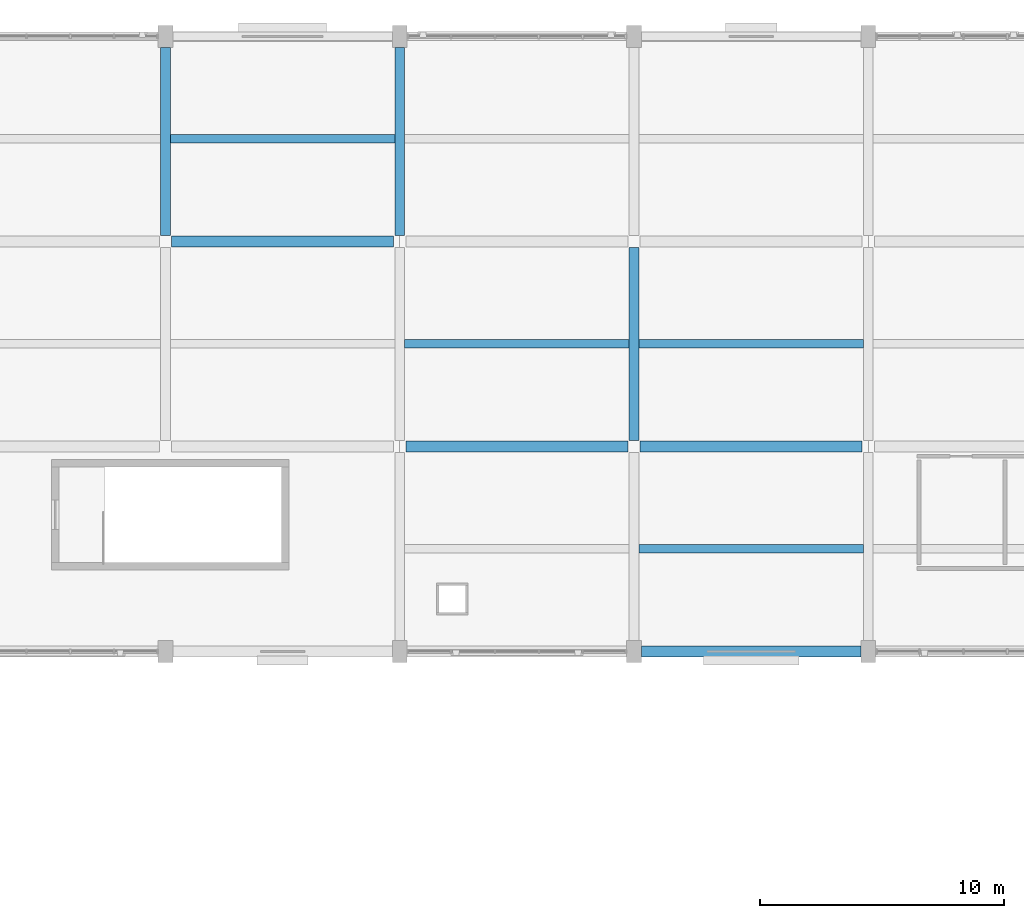
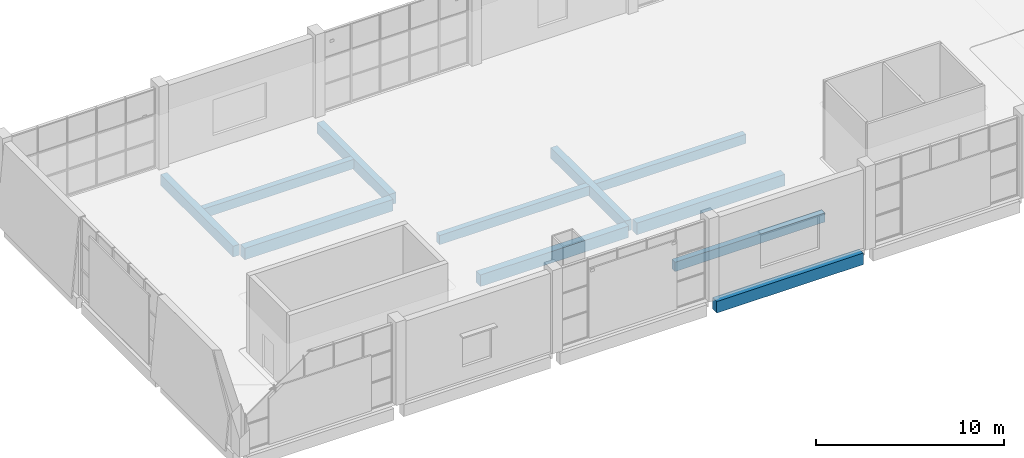
# One storey, part 18 of 57: 11 beams.
"""IFC4 building model written with IfcOpenShell, lengths in metres."""

from ifc_helpers import new_model, si_unit, direction, frame, origin, origin_2d, place, context, subcontext, project, spatial, rectangle, extrude, material, material_profile, profile_set, type_object, element, save


model = new_model("IFC4")

# Units and contexts
model_context = context("Model", 3, precision=1e-05, world=origin(), true_north=direction((0.0, 1.0)))
body_context = subcontext(model_context, "Body", "Model", "MODEL_VIEW")
ifc_project = project(units=[si_unit("LENGTHUNIT", "METRE"), si_unit("AREAUNIT", "SQUARE_METRE"), si_unit("VOLUMEUNIT", "CUBIC_METRE"), si_unit("PLANEANGLEUNIT", "RADIAN"), si_unit("MASSUNIT", "GRAM", prefix="KILO")], contexts=[model_context])

# Site, building, storey
site_placement = place(None, origin())
site = spatial("IfcSite", under=ifc_project, at=site_placement, CompositionType="ELEMENT")
building_placement = place(site_placement, origin())
building = spatial("IfcBuilding", under=site, at=building_placement, Name="Shalvenor Court Art Gallery", CompositionType="ELEMENT")
storey_placement = place(building_placement, frame((0.0, 0.0, 16.800048828125)))
storey = spatial("IfcBuildingStorey", under=building, at=storey_placement, Name="L03", CompositionType="ELEMENT", Elevation=16.800048828125)

# Beams
ifc_material_1 = material(Name="Concrete C40/50", Category="concrete")
ifc_material_profile_1 = material_profile(ifc_material_1, rectangle(XDim=0.449951171875, YDim=0.75, at=origin_2d()), Name="RC 450x750")
ifc_profile_set_1 = profile_set([ifc_material_profile_1], Name="Concrete C40/50")
beam_type_1 = type_object("IfcBeamType", Name="B-04", PredefinedType="BEAM", material=ifc_profile_set_1)
beam_1_placement = place(storey_placement, frame((86.699951171875, 97.199951171875, -0.675048828125), z_axis=(1.0, 0.0, 0.0), x_axis=(0.0, 1.0, 0.0)))
element("IfcBeam", 1, at=beam_1_placement, inside=storey, type_object=beam_type_1, Name="L03 Girder BM-L03-B-04-1096", PredefinedType="BEAM", context=body_context, shape_type="SweptSolid", body=[
    extrude(rectangle(XDim=0.449951171875, YDim=0.75, at=origin_2d()), origin(), (0.0, 0.0, 1.0), 9.0),
])
beam_2_placement = place(storey_placement, frame((77.050048828125, 105.60009765625, -0.675048828125), z_axis=(1.0, 0.0, 0.0), x_axis=(0.0, 1.0, 0.0)))
element("IfcBeam", 2, at=beam_2_placement, inside=storey, type_object=beam_type_1, Name="L03 Girder BM-L03-B-04-1109", PredefinedType="BEAM", context=body_context, shape_type="SweptSolid", body=[
    extrude(rectangle(XDim=0.449951171875, YDim=0.75, at=origin_2d()), origin(), (0.0, 0.0, 1.0), 9.099853515625),
])
for number, where, z_axis, x_axis, name in (
    (3, (86.64990234375, 105.60009765625, -0.675048828125), (1.0, 0.0, 0.0), (0.0, 1.0, 0.0), "L03 Girder BM-L03-B-04-1110"),
    (4, (67.449951171875, 114.0, -0.675048828125), (1.0, 0.0, 0.0), (0.0, 1.0, 0.0), "L03 Girder BM-L03-B-04-1114"),
):
    element("IfcBeam", number, at=place(storey_placement, frame(where, z_axis=z_axis, x_axis=x_axis)), inside=storey, type_object=beam_type_1, Name=name, PredefinedType="BEAM", context=body_context, shape_type="SweptSolid", body=[
        extrude(rectangle(XDim=0.449951171875, YDim=0.75, at=origin_2d()), origin(), (0.0, 0.0, 1.0), 9.10009765625),
    ])
ifc_material_2 = material(Name="Concrete C40/50", Category="concrete")
ifc_material_profile_2 = material_profile(ifc_material_2, rectangle(XDim=0.39990234375, YDim=0.699951171875, at=origin_2d()), Name="RC 400x700")
ifc_profile_set_2 = profile_set([ifc_material_profile_2], Name="Concrete C40/50")
beam_type_2 = type_object("IfcBeamType", Name="B-05", PredefinedType="BEAM", material=ifc_profile_set_2)
for number, where, z_axis, x_axis, name in (
    (5, (67.199951171875, 114.25, -0.650146484375), (0.0, 1.0, 0.0), (-1.0, 0.0, 0.0), "L03 Girder BM-L03-B-05-0982"),
    (6, (76.800048828125, 114.25, -0.650146484375), (0.0, 1.0, 0.0), (-1.0, 0.0, 0.0), "L03 Girder BM-L03-B-05-0985"),
):
    element("IfcBeam", number, at=place(storey_placement, frame(where, z_axis=z_axis, x_axis=x_axis)), inside=storey, type_object=beam_type_2, Name=name, PredefinedType="BEAM", context=body_context, shape_type="SweptSolid", body=[
        extrude(rectangle(XDim=0.39990234375, YDim=0.699951171875, at=origin_2d()), origin(), (0.0, 0.0, 1.0), 7.699951171875),
    ])
beam_3_placement = place(storey_placement, frame((86.39990234375, 105.85009765625, -0.650146484375), z_axis=(0.0, 1.0, 0.0), x_axis=(-1.0, 0.0, 0.0)))
element("IfcBeam", 7, at=beam_3_placement, inside=storey, type_object=beam_type_2, Name="L03 Girder BM-L03-B-05-0987", PredefinedType="BEAM", context=body_context, shape_type="SweptSolid", body=[
    extrude(rectangle(XDim=0.39990234375, YDim=0.699951171875, at=origin_2d()), origin(), (0.0, 0.0, 1.0), 7.89990234375),
])
ifc_material_3 = material(Name="Concrete C40/50", Category="concrete")
ifc_material_profile_3 = material_profile(ifc_material_3, rectangle(XDim=0.35009765625, YDim=0.60009765625, at=origin_2d()), Name="RC 350x600")
ifc_profile_set_3 = profile_set([ifc_material_profile_3], Name="Concrete C40/50")
beam_type_3 = type_object("IfcBeamType", Name="J-01", PredefinedType="JOIST", material=ifc_profile_set_3)
beam_4_placement = place(storey_placement, frame((67.39990234375, 118.199951171875, -0.60009765625), z_axis=(1.0, 0.0, 0.0), x_axis=(0.0, 1.0, 0.0)))
element("IfcBeam", 8, at=beam_4_placement, inside=storey, type_object=beam_type_3, Name="L03 Secondary Beam JST-L03-J-01-1135", PredefinedType="JOIST", context=body_context, shape_type="SweptSolid", body=[
    extrude(rectangle(XDim=0.35009765625, YDim=0.60009765625, at=origin_2d()), origin(), (0.0, 0.0, 1.0), 9.2001953125),
])
for number, where, z_axis, x_axis, name in (
    (9, (77.0, 109.800048828125, -0.60009765625), (1.0, 0.0, 0.0), (0.0, 1.0, 0.0), "L03 Secondary Beam JST-L03-J-01-1137"),
    (10, (86.60009765625, 101.39990234375, -0.60009765625), (1.0, 0.0, 0.0), (0.0, 1.0, 0.0), "L03 Secondary Beam JST-L03-J-01-1139"),
    (11, (86.60009765625, 109.800048828125, -0.60009765625), (1.0, 0.0, 0.0), (0.0, 1.0, 0.0), "L03 Secondary Beam JST-L03-J-01-1140"),
):
    element("IfcBeam", number, at=place(storey_placement, frame(where, z_axis=z_axis, x_axis=x_axis)), inside=storey, type_object=beam_type_3, Name=name, PredefinedType="JOIST", context=body_context, shape_type="SweptSolid", body=[
        extrude(rectangle(XDim=0.35009765625, YDim=0.60009765625, at=origin_2d()), origin(), (0.0, 0.0, 1.0), 9.199951171875),
    ])

save(model, "model.ifc")
